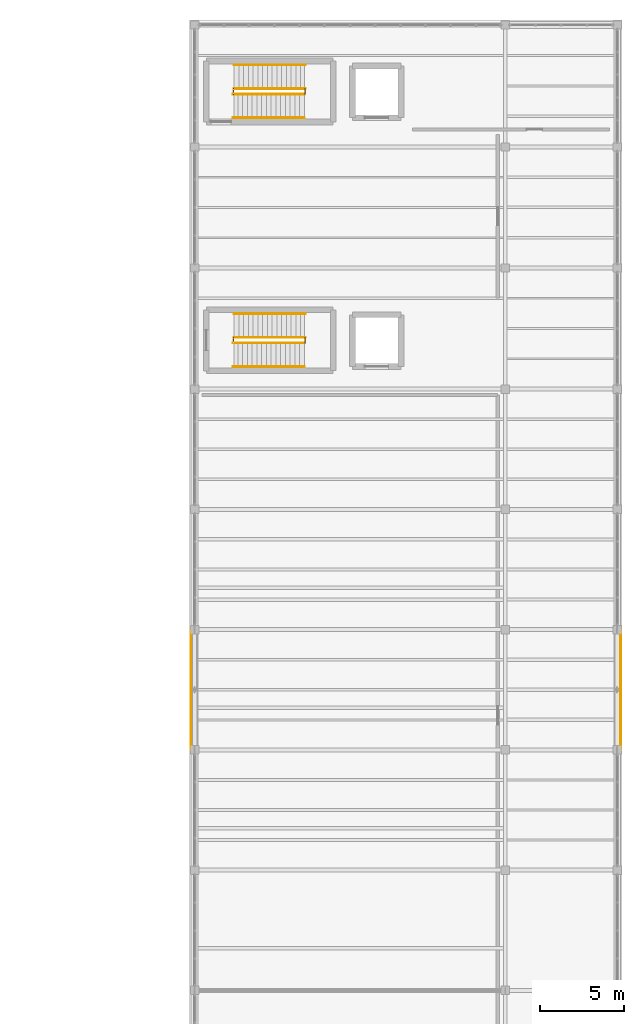
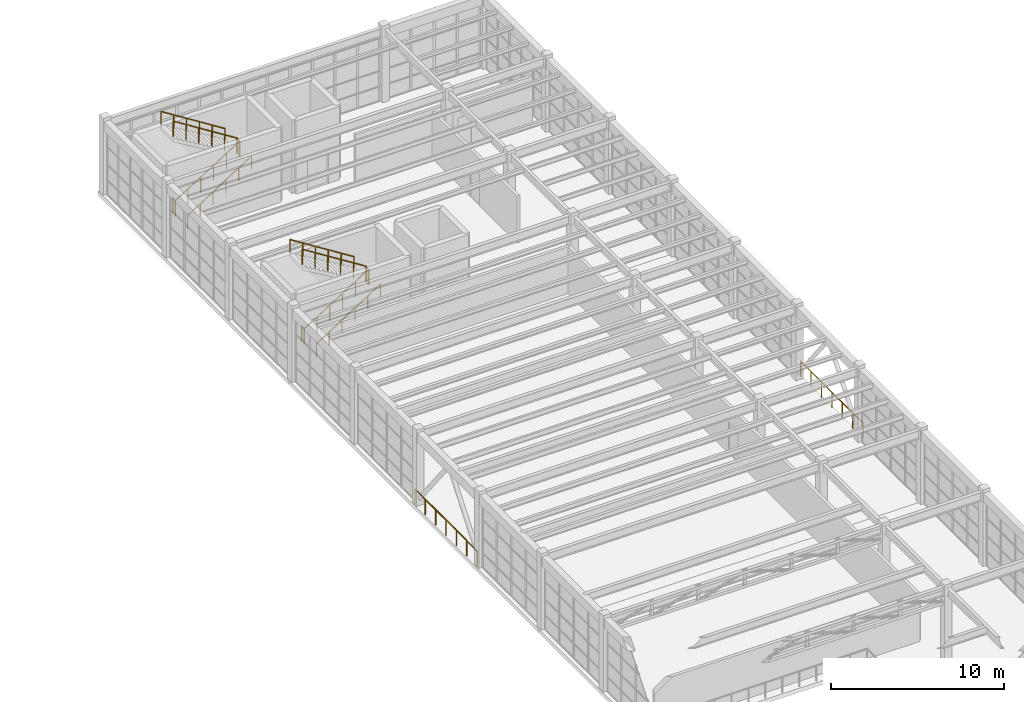
# One storey, part 103 of 103: 14 railings.
"""IFC4 building model written with IfcOpenShell, lengths in metres."""

from ifc_helpers import new_model, si_unit, direction, frame, origin, origin_2d, place, context, subcontext, project, spatial, circle, extrude, material, type_object, element, save


model = new_model("IFC4")

# Units and contexts
model_context = context("Model", 3, precision=1e-05, world=origin(), true_north=direction((0.0, 1.0)))
body_context = subcontext(model_context, "Body", "Model", "MODEL_VIEW")
ifc_project = project(units=[si_unit("LENGTHUNIT", "METRE"), si_unit("AREAUNIT", "SQUARE_METRE"), si_unit("VOLUMEUNIT", "CUBIC_METRE"), si_unit("PLANEANGLEUNIT", "RADIAN"), si_unit("MASSUNIT", "GRAM", prefix="KILO")], contexts=[model_context])

# Site, building, storey
site_placement = place(None, origin())
site = spatial("IfcSite", under=ifc_project, at=site_placement, CompositionType="ELEMENT")
building_placement = place(site_placement, origin())
building = spatial("IfcBuilding", under=site, at=building_placement, Name="Candilejo Ridge Gondola Terminal", CompositionType="ELEMENT")
storey_placement = place(building_placement, frame((0.0, 0.0, 9.0)))
storey = spatial("IfcBuildingStorey", under=building, at=storey_placement, Name="L02", CompositionType="ELEMENT", Elevation=9.0)

# Railings
ifc_material_1 = material(Name="Hot-dip galvanised steel ASTM A500 Grade B", Category="steel")
railing_type_1 = type_object("IfcRailingType", Name="ARC-GUARD-GLASS-1150", PredefinedType="GUARDRAIL", material=ifc_material_1)
for number, where, name in (
    (1, (149.780029296875, 77.449951171875, 0.0), "Deck edge guard GR-V5-L02-BRW"),
    (2, (175.52001953125, 77.449951171875, 0.0), "Deck edge guard GR-V5-L02-BRE"),
):
    element("IfcRailing", number, at=place(storey_placement, frame(where)), inside=storey, type_object=railing_type_1, Name=name, PredefinedType="GUARDRAIL", context=body_context, shape_type="SweptSolid", body=[
        extrude(circle(Radius=0.02392578125, at=origin_2d()), frame((0.0, 0.0, 1.076171875), z_axis=(0.0, 1.0, 0.0), x_axis=(-1.0, 0.0, 0.0)), (0.0, 0.0, 1.0), 7.199951171875),
        extrude(circle(Radius=0.02099609375, at=origin_2d()), origin(), (0.0, 0.0, 1.0), 1.052001953125),
        extrude(circle(Radius=0.02099609375, at=origin_2d()), frame((0.0, 1.199951171875, 0.0)), (0.0, 0.0, 1.0), 1.052001953125),
        extrude(circle(Radius=0.02099609375, at=origin_2d()), frame((0.0, 2.39990234375, 0.0)), (0.0, 0.0, 1.0), 1.052001953125),
        extrude(circle(Radius=0.02099609375, at=origin_2d()), frame((0.0, 3.60009765625, 0.0)), (0.0, 0.0, 1.0), 1.052001953125),
        extrude(circle(Radius=0.02099609375, at=origin_2d()), frame((0.0, 4.800048828125, 0.0)), (0.0, 0.0, 1.0), 1.052001953125),
        extrude(circle(Radius=0.02099609375, at=origin_2d()), frame((0.0, 6.0, 0.0)), (0.0, 0.0, 1.0), 1.052001953125),
        extrude(circle(Radius=0.02099609375, at=origin_2d()), frame((0.0, 7.199951171875, 0.0)), (0.0, 0.0, 1.0), 1.052001953125),
    ])
ifc_material_2 = material(Name="Hot-dip galvanised steel ASTM A500 Grade B", Category="steel")
railing_type_2 = type_object("IfcRailingType", Name="ARC-STAIR-GUARD-1100", PredefinedType="GUARDRAIL", material=ifc_material_2)
railing_1_placement = place(storey_placement, frame((152.330078125, 101.81005859375, 0.0)))
element("IfcRailing", 3, at=railing_1_placement, inside=storey, type_object=railing_type_2, Name="Arrival well guard ST-V5A-L01-ARR-L02", PredefinedType="GUARDRAIL", context=body_context, shape_type="SweptSolid", body=[
    extrude(circle(Radius=0.02392578125, at=origin_2d()), frame((0.0, 0.0, 1.076171875), z_axis=(0.0, 1.0, 0.0), x_axis=(-1.0, 0.0, 0.0)), (0.0, 0.0, 1.0), 0.329833984375),
    extrude(circle(Radius=0.02099609375, at=origin_2d()), origin(), (0.0, 0.0, 1.0), 1.052001953125),
    extrude(circle(Radius=0.02099609375, at=origin_2d()), frame((0.0, 0.329833984375, 0.0)), (0.0, 0.0, 1.0), 1.052001953125),
])
railing_2_placement = place(storey_placement, frame((152.300048828125, 101.81005859375, 0.0)))
element("IfcRailing", 4, at=railing_2_placement, inside=storey, type_object=railing_type_2, Name="Flight well guard ST-V5A-F03", PredefinedType="GUARDRAIL", context=body_context, shape_type="SweptSolid", body=[
    extrude(circle(Radius=0.02392578125, at=origin_2d()), frame((0.0, 0.0, 1.076171875), z_axis=(0.845487755639, 0.0, 0.533994808088), x_axis=(0.0, 1.0, 0.0)), (0.0, 0.0, 1.0), 5.05615234375),
    extrude(circle(Radius=0.02099609375, at=origin_2d()), origin(), (0.0, 0.0, 1.0), 1.052001953125),
    extrude(circle(Radius=0.02099609375, at=origin_2d()), frame((0.85498046875, 0.0, 0.5400390625)), (0.0, 0.0, 1.0), 1.052001953125),
    extrude(circle(Radius=0.02099609375, at=origin_2d()), frame((1.7099609375, 0.0, 1.080078125)), (0.0, 0.0, 1.0), 1.052001953125),
    extrude(circle(Radius=0.02099609375, at=origin_2d()), frame((2.56494140625, 0.0, 1.619873046875)), (0.0, 0.0, 1.0), 1.052001953125),
    extrude(circle(Radius=0.02099609375, at=origin_2d()), frame((3.419921875, 0.0, 2.159912109375)), (0.0, 0.0, 1.0), 1.052001953125),
    extrude(circle(Radius=0.02099609375, at=origin_2d()), frame((4.27490234375, 0.0, 2.699951171875)), (0.0, 0.0, 1.0), 1.052001953125),
])
railing_3_placement = place(storey_placement, frame((156.60498046875, 101.81005859375, 2.699951171875)))
element("IfcRailing", 5, at=railing_3_placement, inside=storey, type_object=railing_type_2, Name="Half-landing slot guard ST-V5A-LND-02", PredefinedType="GUARDRAIL", context=body_context, shape_type="SweptSolid", body=[
    extrude(circle(Radius=0.02392578125, at=origin_2d()), frame((0.0, 0.0, 1.076171875), z_axis=(0.0, 1.0, 0.0), x_axis=(-1.0, 0.0, 0.0)), (0.0, 0.0, 1.0), 0.329833984375),
    extrude(circle(Radius=0.02099609375, at=origin_2d()), origin(), (0.0, 0.0, 1.0), 1.052001953125),
    extrude(circle(Radius=0.02099609375, at=origin_2d()), frame((0.0, 0.329833984375, 0.0)), (0.0, 0.0, 1.0), 1.052001953125),
])
railing_4_placement = place(storey_placement, frame((156.635009765625, 102.139892578125, 2.699951171875)))
element("IfcRailing", 6, at=railing_4_placement, inside=storey, type_object=railing_type_2, Name="Flight well guard ST-V5A-F04", PredefinedType="GUARDRAIL", context=body_context, shape_type="SweptSolid", body=[
    extrude(circle(Radius=0.02392578125, at=origin_2d()), frame((0.0, 0.0, 1.076171875), z_axis=(-0.845487755639, 0.0, 0.533994808088), x_axis=(0.0, -1.0, 0.0)), (0.0, 0.0, 1.0), 5.05615234375),
    extrude(circle(Radius=0.02099609375, at=origin_2d()), origin(), (0.0, 0.0, 1.0), 1.052001953125),
    extrude(circle(Radius=0.02099609375, at=origin_2d()), frame((-0.85498046875, 0.0, 0.5400390625)), (0.0, 0.0, 1.0), 1.052001953125),
    extrude(circle(Radius=0.02099609375, at=origin_2d()), frame((-1.7099609375, 0.0, 1.080078125)), (0.0, 0.0, 1.0), 1.052001953125),
    extrude(circle(Radius=0.02099609375, at=origin_2d()), frame((-2.56494140625, 0.0, 1.619873046875)), (0.0, 0.0, 1.0), 1.052001953125),
    extrude(circle(Radius=0.02099609375, at=origin_2d()), frame((-3.419921875, 0.0, 2.159912109375)), (0.0, 0.0, 1.0), 1.052001953125),
    extrude(circle(Radius=0.02099609375, at=origin_2d()), frame((-4.27490234375, 0.0, 2.699951171875)), (0.0, 0.0, 1.0), 1.052001953125),
])
railing_5_placement = place(storey_placement, frame((152.330078125, 116.7099609375, 0.0)))
element("IfcRailing", 7, at=railing_5_placement, inside=storey, type_object=railing_type_2, Name="Arrival well guard ST-V5B-L01-ARR-L02", PredefinedType="GUARDRAIL", context=body_context, shape_type="SweptSolid", body=[
    extrude(circle(Radius=0.02392578125, at=origin_2d()), frame((0.0, 0.0, 1.076171875), z_axis=(0.0, 1.0, 0.0), x_axis=(-1.0, 0.0, 0.0)), (0.0, 0.0, 1.0), 0.330078125),
    extrude(circle(Radius=0.02099609375, at=origin_2d()), origin(), (0.0, 0.0, 1.0), 1.052001953125),
    extrude(circle(Radius=0.02099609375, at=origin_2d()), frame((0.0, 0.330078125, 0.0)), (0.0, 0.0, 1.0), 1.052001953125),
])
railing_6_placement = place(storey_placement, frame((152.300048828125, 116.7099609375, 0.0)))
element("IfcRailing", 8, at=railing_6_placement, inside=storey, type_object=railing_type_2, Name="Flight well guard ST-V5B-F03", PredefinedType="GUARDRAIL", context=body_context, shape_type="SweptSolid", body=[
    extrude(circle(Radius=0.02392578125, at=origin_2d()), frame((0.0, 0.0, 1.076171875), z_axis=(0.845487755639, 0.0, 0.533994808088), x_axis=(0.0, 1.0, 0.0)), (0.0, 0.0, 1.0), 5.05615234375),
    extrude(circle(Radius=0.02099609375, at=origin_2d()), origin(), (0.0, 0.0, 1.0), 1.052001953125),
    extrude(circle(Radius=0.02099609375, at=origin_2d()), frame((0.85498046875, 0.0, 0.5400390625)), (0.0, 0.0, 1.0), 1.052001953125),
    extrude(circle(Radius=0.02099609375, at=origin_2d()), frame((1.7099609375, 0.0, 1.080078125)), (0.0, 0.0, 1.0), 1.052001953125),
    extrude(circle(Radius=0.02099609375, at=origin_2d()), frame((2.56494140625, 0.0, 1.619873046875)), (0.0, 0.0, 1.0), 1.052001953125),
    extrude(circle(Radius=0.02099609375, at=origin_2d()), frame((3.419921875, 0.0, 2.159912109375)), (0.0, 0.0, 1.0), 1.052001953125),
    extrude(circle(Radius=0.02099609375, at=origin_2d()), frame((4.27490234375, 0.0, 2.699951171875)), (0.0, 0.0, 1.0), 1.052001953125),
])
railing_7_placement = place(storey_placement, frame((156.60498046875, 116.7099609375, 2.699951171875)))
element("IfcRailing", 9, at=railing_7_placement, inside=storey, type_object=railing_type_2, Name="Half-landing slot guard ST-V5B-LND-02", PredefinedType="GUARDRAIL", context=body_context, shape_type="SweptSolid", body=[
    extrude(circle(Radius=0.02392578125, at=origin_2d()), frame((0.0, 0.0, 1.076171875), z_axis=(0.0, 1.0, 0.0), x_axis=(-1.0, 0.0, 0.0)), (0.0, 0.0, 1.0), 0.330078125),
    extrude(circle(Radius=0.02099609375, at=origin_2d()), origin(), (0.0, 0.0, 1.0), 1.052001953125),
    extrude(circle(Radius=0.02099609375, at=origin_2d()), frame((0.0, 0.330078125, 0.0)), (0.0, 0.0, 1.0), 1.052001953125),
])
railing_8_placement = place(storey_placement, frame((156.635009765625, 117.0400390625, 2.699951171875)))
element("IfcRailing", 10, at=railing_8_placement, inside=storey, type_object=railing_type_2, Name="Flight well guard ST-V5B-F04", PredefinedType="GUARDRAIL", context=body_context, shape_type="SweptSolid", body=[
    extrude(circle(Radius=0.02392578125, at=origin_2d()), frame((0.0, 0.0, 1.076171875), z_axis=(-0.845487755639, 0.0, 0.533994808088), x_axis=(0.0, -1.0, 0.0)), (0.0, 0.0, 1.0), 5.05615234375),
    extrude(circle(Radius=0.02099609375, at=origin_2d()), origin(), (0.0, 0.0, 1.0), 1.052001953125),
    extrude(circle(Radius=0.02099609375, at=origin_2d()), frame((-0.85498046875, 0.0, 0.5400390625)), (0.0, 0.0, 1.0), 1.052001953125),
    extrude(circle(Radius=0.02099609375, at=origin_2d()), frame((-1.7099609375, 0.0, 1.080078125)), (0.0, 0.0, 1.0), 1.052001953125),
    extrude(circle(Radius=0.02099609375, at=origin_2d()), frame((-2.56494140625, 0.0, 1.619873046875)), (0.0, 0.0, 1.0), 1.052001953125),
    extrude(circle(Radius=0.02099609375, at=origin_2d()), frame((-3.419921875, 0.0, 2.159912109375)), (0.0, 0.0, 1.0), 1.052001953125),
    extrude(circle(Radius=0.02099609375, at=origin_2d()), frame((-4.27490234375, 0.0, 2.699951171875)), (0.0, 0.0, 1.0), 1.052001953125),
])
ifc_material_3 = material(Name="Brushed stainless steel AISI 316", Category="steel")
railing_type_3 = type_object("IfcRailingType", Name="ARC-STAIR-HANDRAIL-920", PredefinedType="HANDRAIL", material=ifc_material_3)
railing_9_placement = place(storey_placement, frame((152.300048828125, 100.389892578125, 0.0)))
element("IfcRailing", 11, at=railing_9_placement, inside=storey, type_object=railing_type_3, Name="Wall handrail ST-V5A-F03", PredefinedType="HANDRAIL", context=body_context, shape_type="SweptSolid", body=[
    extrude(circle(Radius=0.02392578125, at=origin_2d()), frame((0.0, 0.0, 0.89599609375), z_axis=(0.845487755639, 0.0, 0.533994808088), x_axis=(0.0, 1.0, 0.0)), (0.0, 0.0, 1.0), 5.05615234375),
    extrude(circle(Radius=0.02099609375, at=origin_2d()), origin(), (0.0, 0.0, 1.0), 0.871826171875),
    extrude(circle(Radius=0.02099609375, at=origin_2d()), frame((0.85498046875, 0.0, 0.5400390625)), (0.0, 0.0, 1.0), 0.871826171875),
    extrude(circle(Radius=0.02099609375, at=origin_2d()), frame((1.7099609375, 0.0, 1.080078125)), (0.0, 0.0, 1.0), 0.871826171875),
    extrude(circle(Radius=0.02099609375, at=origin_2d()), frame((2.56494140625, 0.0, 1.619873046875)), (0.0, 0.0, 1.0), 0.871826171875),
    extrude(circle(Radius=0.02099609375, at=origin_2d()), frame((3.419921875, 0.0, 2.159912109375)), (0.0, 0.0, 1.0), 0.871826171875),
    extrude(circle(Radius=0.02099609375, at=origin_2d()), frame((4.27490234375, 0.0, 2.699951171875)), (0.0, 0.0, 1.0), 0.871826171875),
])
railing_10_placement = place(storey_placement, frame((156.635009765625, 103.56005859375, 2.699951171875)))
element("IfcRailing", 12, at=railing_10_placement, inside=storey, type_object=railing_type_3, Name="Wall handrail ST-V5A-F04", PredefinedType="HANDRAIL", context=body_context, shape_type="SweptSolid", body=[
    extrude(circle(Radius=0.02392578125, at=origin_2d()), frame((0.0, 0.0, 0.89599609375), z_axis=(-0.845487755639, 0.0, 0.533994808088), x_axis=(0.0, -1.0, 0.0)), (0.0, 0.0, 1.0), 5.05615234375),
    extrude(circle(Radius=0.02099609375, at=origin_2d()), origin(), (0.0, 0.0, 1.0), 0.871826171875),
    extrude(circle(Radius=0.02099609375, at=origin_2d()), frame((-0.85498046875, 0.0, 0.5400390625)), (0.0, 0.0, 1.0), 0.871826171875),
    extrude(circle(Radius=0.02099609375, at=origin_2d()), frame((-1.7099609375, 0.0, 1.080078125)), (0.0, 0.0, 1.0), 0.871826171875),
    extrude(circle(Radius=0.02099609375, at=origin_2d()), frame((-2.56494140625, 0.0, 1.619873046875)), (0.0, 0.0, 1.0), 0.871826171875),
    extrude(circle(Radius=0.02099609375, at=origin_2d()), frame((-3.419921875, 0.0, 2.159912109375)), (0.0, 0.0, 1.0), 0.871826171875),
    extrude(circle(Radius=0.02099609375, at=origin_2d()), frame((-4.27490234375, 0.0, 2.699951171875)), (0.0, 0.0, 1.0), 0.871826171875),
])
railing_11_placement = place(storey_placement, frame((152.300048828125, 115.2900390625, 0.0)))
element("IfcRailing", 13, at=railing_11_placement, inside=storey, type_object=railing_type_3, Name="Wall handrail ST-V5B-F03", PredefinedType="HANDRAIL", context=body_context, shape_type="SweptSolid", body=[
    extrude(circle(Radius=0.02392578125, at=origin_2d()), frame((0.0, 0.0, 0.89599609375), z_axis=(0.845487755639, 0.0, 0.533994808088), x_axis=(0.0, 1.0, 0.0)), (0.0, 0.0, 1.0), 5.05615234375),
    extrude(circle(Radius=0.02099609375, at=origin_2d()), origin(), (0.0, 0.0, 1.0), 0.871826171875),
    extrude(circle(Radius=0.02099609375, at=origin_2d()), frame((0.85498046875, 0.0, 0.5400390625)), (0.0, 0.0, 1.0), 0.871826171875),
    extrude(circle(Radius=0.02099609375, at=origin_2d()), frame((1.7099609375, 0.0, 1.080078125)), (0.0, 0.0, 1.0), 0.871826171875),
    extrude(circle(Radius=0.02099609375, at=origin_2d()), frame((2.56494140625, 0.0, 1.619873046875)), (0.0, 0.0, 1.0), 0.871826171875),
    extrude(circle(Radius=0.02099609375, at=origin_2d()), frame((3.419921875, 0.0, 2.159912109375)), (0.0, 0.0, 1.0), 0.871826171875),
    extrude(circle(Radius=0.02099609375, at=origin_2d()), frame((4.27490234375, 0.0, 2.699951171875)), (0.0, 0.0, 1.0), 0.871826171875),
])
railing_12_placement = place(storey_placement, frame((156.635009765625, 118.4599609375, 2.699951171875)))
element("IfcRailing", 14, at=railing_12_placement, inside=storey, type_object=railing_type_3, Name="Wall handrail ST-V5B-F04", PredefinedType="HANDRAIL", context=body_context, shape_type="SweptSolid", body=[
    extrude(circle(Radius=0.02392578125, at=origin_2d()), frame((0.0, 0.0, 0.89599609375), z_axis=(-0.845487755639, 0.0, 0.533994808088), x_axis=(0.0, -1.0, 0.0)), (0.0, 0.0, 1.0), 5.05615234375),
    extrude(circle(Radius=0.02099609375, at=origin_2d()), origin(), (0.0, 0.0, 1.0), 0.871826171875),
    extrude(circle(Radius=0.02099609375, at=origin_2d()), frame((-0.85498046875, 0.0, 0.5400390625)), (0.0, 0.0, 1.0), 0.871826171875),
    extrude(circle(Radius=0.02099609375, at=origin_2d()), frame((-1.7099609375, 0.0, 1.080078125)), (0.0, 0.0, 1.0), 0.871826171875),
    extrude(circle(Radius=0.02099609375, at=origin_2d()), frame((-2.56494140625, 0.0, 1.619873046875)), (0.0, 0.0, 1.0), 0.871826171875),
    extrude(circle(Radius=0.02099609375, at=origin_2d()), frame((-3.419921875, 0.0, 2.159912109375)), (0.0, 0.0, 1.0), 0.871826171875),
    extrude(circle(Radius=0.02099609375, at=origin_2d()), frame((-4.27490234375, 0.0, 2.699951171875)), (0.0, 0.0, 1.0), 0.871826171875),
])

save(model, "model.ifc")
